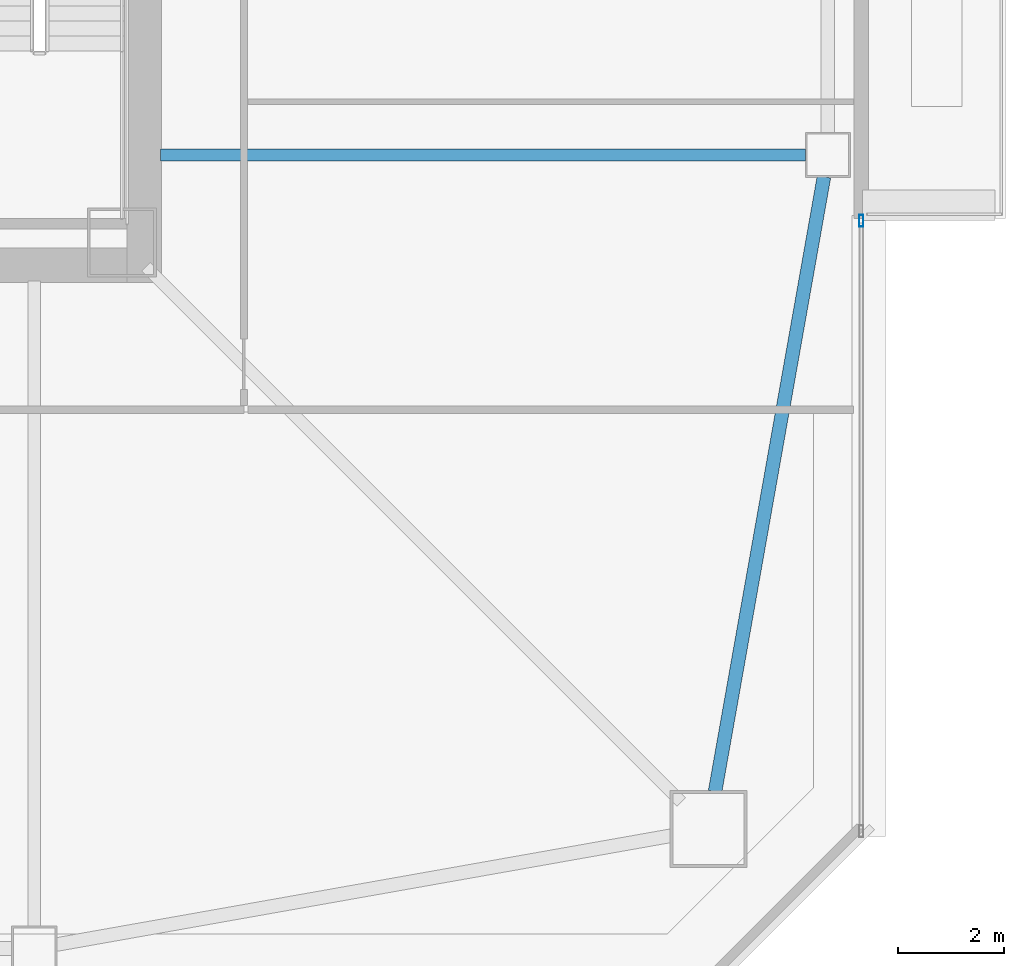
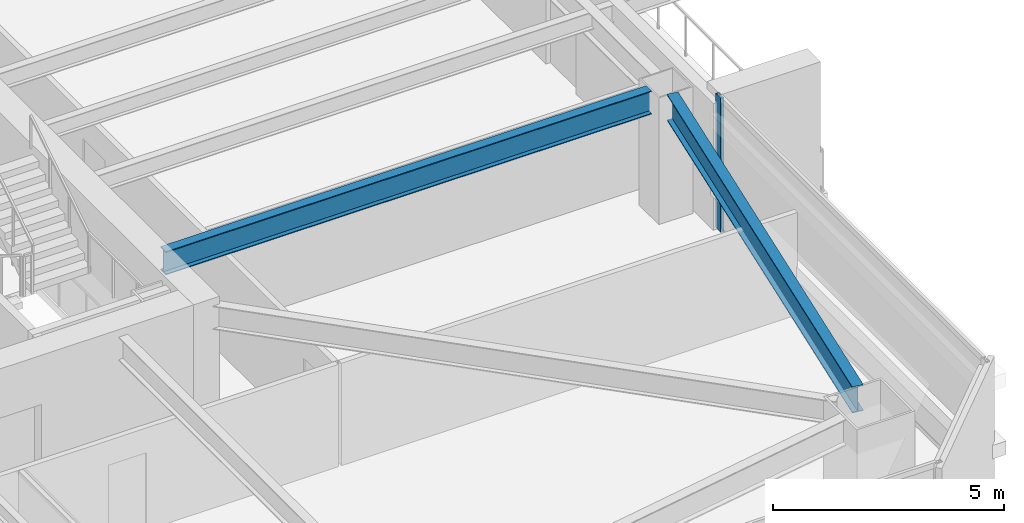
# One storey, part 9 of 44: 2 beams, 1 member, 1 element without a shape of its own.
"""IFC4 building model written with IfcOpenShell, lengths in metres."""

from ifc_helpers import new_model, si_unit, direction, frame, origin, origin_2d, place, context, subcontext, project, spatial, hollow_rectangle, i_section, extrude, material, material_profile, profile_set, type_object, element, aggregate, save


model = new_model("IFC4")

# Units and contexts
model_context = context("Model", 3, precision=1e-05, world=origin(), true_north=direction((0.0, 1.0)))
body_context = subcontext(model_context, "Body", "Model", "MODEL_VIEW")
ifc_project = project(units=[si_unit("LENGTHUNIT", "METRE"), si_unit("AREAUNIT", "SQUARE_METRE"), si_unit("VOLUMEUNIT", "CUBIC_METRE"), si_unit("PLANEANGLEUNIT", "RADIAN"), si_unit("MASSUNIT", "GRAM", prefix="KILO")], contexts=[model_context])

# Site, building, storey
site_placement = place(None, origin())
site = spatial("IfcSite", under=ifc_project, at=site_placement, CompositionType="ELEMENT")
building_placement = place(site_placement, origin())
building = spatial("IfcBuilding", under=site, at=building_placement, Name="Tashvorn Skyway Center", CompositionType="ELEMENT")
storey_placement = place(building_placement, frame((0.0, 0.0, 102.699951171875)))
storey = spatial("IfcBuildingStorey", under=building, at=storey_placement, Name="L27", CompositionType="ELEMENT", Elevation=102.699951171875)

# Beams
ifc_material_1 = material(Name="Steel ASTM A992 Grade 50", Category="steel")
ifc_material_profile_1 = material_profile(ifc_material_1, i_section(OverallWidth=0.22998046875, OverallDepth=0.616943359375, WebThickness=0.01318359375, FlangeThickness=0.022216796875, at=origin_2d()), Name="W24X94")
ifc_profile_set_1 = profile_set([ifc_material_profile_1], Name="Steel ASTM A992 Grade 50")
beam_type_1 = type_object("IfcBeamType", Name="BM-BEAM-W24X94", PredefinedType="BEAM", material=ifc_profile_set_1)
beam_1_placement = place(storey_placement, frame((61.929931640625, 26.60009765625, 3.04150390625), z_axis=(-1.0, 0.0, 0.0), x_axis=(0.0, -1.0, 0.0)))
element("IfcBeam", 1, at=beam_1_placement, inside=storey, type_object=beam_type_1, Name="Tower 1 L27 Primary Floor Girder FC-E1", PredefinedType="BEAM", context=body_context, shape_type="SweptSolid", body=[
    extrude(i_section(OverallWidth=0.22998046875, OverallDepth=0.616943359375, WebThickness=0.01318359375, FlangeThickness=0.022216796875, at=origin_2d()), origin(), (0.0, 0.0, 1.0), 12.14990234375),
])
ifc_material_profile_2 = material_profile(ifc_material_1, i_section(OverallWidth=0.256103515625, OverallDepth=0.693115234375, WebThickness=0.014404296875, FlangeThickness=0.023681640625, at=origin_2d()), Name="W27X114")
ifc_profile_set_2 = profile_set([ifc_material_profile_2], Name="Steel ASTM A992 Grade 50")
beam_type_2 = type_object("IfcBeamType", Name="BM-SPANDREL-W27X114", PredefinedType="SPANDREL", material=ifc_profile_set_2)
beam_2_placement = place(storey_placement, frame((60.2255859375, 14.60888671875, 3.003662109375), z_axis=(0.174437966698, 0.98466816531, 0.0), x_axis=(-0.98466816531, 0.174437966698, 0.0)))
element("IfcBeam", 2, at=beam_2_placement, inside=storey, type_object=beam_type_2, Name="Tower 1 L27 Spandrel Beam 04", PredefinedType="SPANDREL", context=body_context, shape_type="SweptSolid", body=[
    extrude(i_section(OverallWidth=0.256103515625, OverallDepth=0.693115234375, WebThickness=0.014404296875, FlangeThickness=0.023681640625, at=origin_2d()), origin(), (0.0, 0.0, 1.0), 11.7578125),
])

# Curtain wall, member
ifc_material_2 = material(Name="Thermally broken bronze-anodized aluminium 6063-T6", Category="aluminium")
curtain_wall_type = type_object("IfcCurtainWallType", Name="CW-CW-Z2", PredefinedType="NOTDEFINED", material=ifc_material_2)
curtain_wall_placement = place(storey_placement, origin())
curtain_wall = element("IfcCurtainWall", 3, at=curtain_wall_placement, inside=storey, type_object=curtain_wall_type, Name="Tower 1 L27 East Curtain Wall R", PredefinedType="NOTDEFINED")
ifc_material_profile_3 = material_profile(ifc_material_2, hollow_rectangle(XDim=0.080078125, YDim=0.219970703125, WallThickness=0.0048828125, at=origin_2d()), Name="ALU-MULL-80x220")
ifc_profile_set_3 = profile_set([ifc_material_profile_3], Name="Thermally broken bronze-anodized aluminium 6063-T6")
member_type = type_object("IfcMemberType", Name="CWM-CW-Z2", PredefinedType="MULLION", material=ifc_profile_set_3)
member_placement = place(storey_placement, frame((62.97998046875, 25.360107421875, 0.0), z_axis=(0.0, 0.0, 1.0), x_axis=(1.0, 0.0, 0.0)))
member = element("IfcMember", 4, at=member_placement, type_object=member_type, Name="CW-Z2 mullion 1", PredefinedType="MULLION", context=body_context, shape_type="SweptSolid", body=[
    extrude(hollow_rectangle(XDim=0.080078125, YDim=0.219970703125, WallThickness=0.0048828125, at=origin_2d()), origin(), (0.0, 0.0, 1.0), 3.550048828125),
])
aggregate(curtain_wall, [member])

save(model, "model.ifc")
